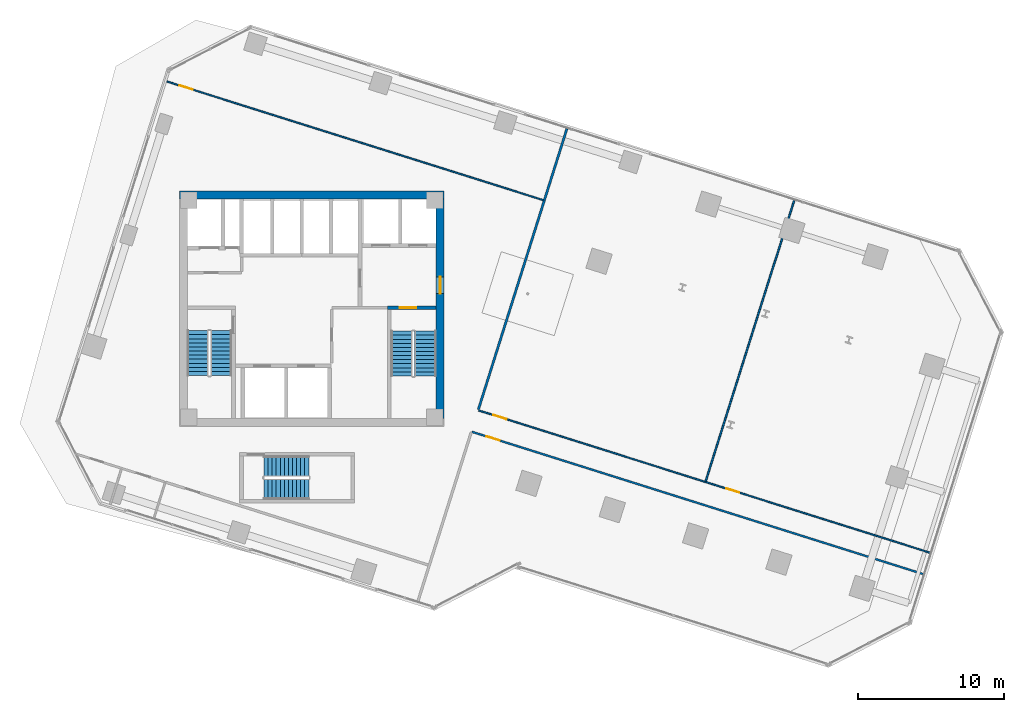
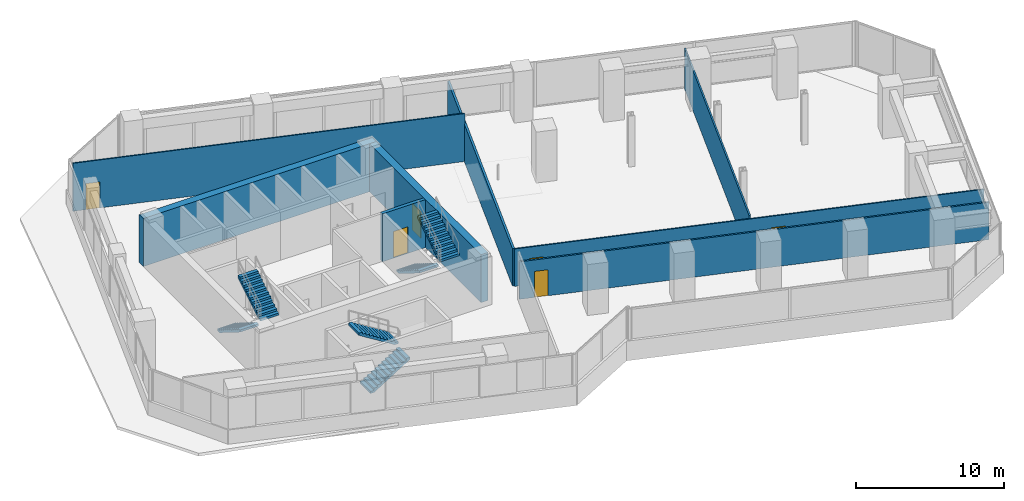
# One storey, part 22 of 28: 8 walls, 6 doors, 6 stair flights, 6 openings, 3 elements without a shape of their own.
"""IFC4 building model written with IfcOpenShell, lengths in metres."""

from ifc_helpers import new_model, si_unit, direction, frame, frame_2d, origin, place, context, subcontext, project, spatial, polyline, rectangle, outline, extrude, source, transform, mapped, material, layer, layer_set, type_object, element, fill, aggregate, save


model = new_model("IFC4")

# Units and contexts
model_context = context("Model", 3, precision=1e-05, world=origin(), true_north=direction((0.0, 1.0)))
body_context = subcontext(model_context, "Body", "Model", "MODEL_VIEW")
ifc_project = project(units=[si_unit("LENGTHUNIT", "METRE"), si_unit("AREAUNIT", "SQUARE_METRE"), si_unit("VOLUMEUNIT", "CUBIC_METRE"), si_unit("PLANEANGLEUNIT", "RADIAN"), si_unit("MASSUNIT", "GRAM", prefix="KILO")], contexts=[model_context])

# Site, building, storey
site_placement = place(None, origin())
site = spatial("IfcSite", under=ifc_project, at=site_placement, CompositionType="ELEMENT")
building_placement = place(site_placement, origin())
building = spatial("IfcBuilding", under=site, at=building_placement, Name="Torre Montelarca", CompositionType="ELEMENT")
storey_placement = place(building_placement, frame((0.0, 0.0, 112.60009765625)))
storey = spatial("IfcBuildingStorey", under=building, at=storey_placement, Name="L25", CompositionType="ELEMENT", Elevation=112.60009765625)

# Wall, opening, door
ifc_material_1 = material(Name="Concrete C40/50", Category="concrete")
ifc_layer_1 = layer(ifc_material_1, 0.25, Name="Concrete C40/50", Category="concrete")
ifc_layer_set_1 = layer_set([ifc_layer_1], Name="Concrete C40/50")
wall_type_1 = type_object("IfcWallType", Name="CW-SHAFT-250", PredefinedType="SHEAR", material=ifc_layer_set_1)
wall_1_placement = place(storey_placement, frame((23.18994140625, 32.074951171875, 0.0), z_axis=(0.0, 0.0, 1.0), x_axis=(1.0, 0.0, 0.0)))
wall_1 = element("IfcWall", 1, at=wall_1_placement, inside=storey, type_object=wall_type_1, Name="L25 Core Shear Wall SH-ST2-N", PredefinedType="SHEAR", context=body_context, shape_type="SweptSolid", body=[
    extrude(rectangle(XDim=3.35009765625, YDim=0.25, at=frame_2d((1.675048828125, 0.0))), origin(), (0.0, 0.0, 1.0), 3.9599609375),
])
opening_1_placement = place(wall_1_placement, frame((0.85009765625, 0.0, 0.0)))
opening_1 = element("IfcOpeningElement", 2, at=opening_1_placement, cuts=wall_1, Name="Opening FD-ST1", PredefinedType="OPENING", context=body_context, shape_type="SweptSolid", body=[
    extrude(rectangle(XDim=1.14990234375, YDim=2.199951171875, at=frame_2d((0.574951171875, 1.10009765625))), frame((0.0, 0.135009765625, 0.0), z_axis=(0.0, -1.0, 0.0), x_axis=(1.0, 0.0, 0.0)), (0.0, 0.0, 1.0), 0.27001953125),
])
ifc_material_2 = material(Name="Galvanized steel fire door", Category="steel")
door_type_1 = type_object("IfcDoorType", Name="DR-STAIR-115", OperationType="NOTDEFINED", PredefinedType="DOOR", material=ifc_material_2)
shared_shape_1 = source(origin(), body_context, "Body", "SweptSolid", [
    extrude(rectangle(XDim=1.14990234375, YDim=2.199951171875, at=frame_2d((0.574951171875, 1.10009765625))), frame((0.0, 0.02490234375, 0.0), z_axis=(0.0, -1.0, 0.0), x_axis=(1.0, 0.0, 0.0)), (0.0, 0.0, 1.0), 0.050048828125),
])
door_1_placement = place(opening_1_placement, origin())
door_1 = element("IfcDoor", 3, at=door_1_placement, inside=storey, type_object=door_type_1, Name="L25 Exit Stair ST2 Fire Door", OperationType="SINGLE_SWING_RIGHT", OverallHeight=2.199951171875, OverallWidth=1.14990234375, PredefinedType="DOOR", context=body_context, shape_type="MappedRepresentation", body=[
    mapped(shared_shape_1, transform((0.0, 0.0, 0.0), scale=1.0)),
])
fill(opening_1, door_1)

ifc_material_3 = material(Name="Concrete C70/85", Category="concrete")
ifc_layer_2 = layer(ifc_material_3, 0.550048828125, Name="Concrete C70/85", Category="concrete")
ifc_layer_set_2 = layer_set([ifc_layer_2], Name="Concrete C70/85")
wall_type_2 = type_object("IfcWallType", Name="CW-SHEAR-550", PredefinedType="SHEAR", material=ifc_layer_set_2)
wall_2_placement = place(storey_placement, frame((26.824951171875, 24.449951171875, 0.0), z_axis=(0.0, 0.0, 1.0), x_axis=(0.0, 1.0, 0.0)))
wall_2 = element("IfcWall", 4, at=wall_2_placement, inside=storey, type_object=wall_type_2, Name="L25 Core Shear Wall CW-E", PredefinedType="SHEAR", context=body_context, shape_type="SweptSolid", body=[
    extrude(rectangle(XDim=15.10009765625, YDim=0.550048828125, at=frame_2d((7.550048828125, 0.0))), origin(), (0.0, 0.0, 1.0), 3.9599609375),
])
opening_2_placement = place(wall_2_placement, frame((8.60009765625, 0.0, 0.0)))
opening_2 = element("IfcOpeningElement", 5, at=opening_2_placement, cuts=wall_2, Name="Opening FD-LB1", PredefinedType="OPENING", context=body_context, shape_type="SweptSolid", body=[
    extrude(rectangle(XDim=1.14990234375, YDim=2.199951171875, at=frame_2d((0.574951171875, 1.10009765625))), frame((0.0, 0.28515625, 0.0), z_axis=(0.0, -1.0, 0.0), x_axis=(1.0, 0.0, 0.0)), (0.0, 0.0, 1.0), 0.570068359375),
])
ifc_material_4 = material(Name="Acoustic timber-veneered fire door", Category="wood")
door_type_2 = type_object("IfcDoorType", Name="DR-LOBBY-115", OperationType="NOTDEFINED", PredefinedType="DOOR", material=ifc_material_4)
shared_shape_2 = source(origin(), body_context, "Body", "SweptSolid", [
    extrude(rectangle(XDim=1.14990234375, YDim=2.199951171875, at=frame_2d((0.574951171875, 1.10009765625))), frame((0.0, 0.02490234375, 0.0), z_axis=(0.0, -1.0, 0.0), x_axis=(1.0, 0.0, 0.0)), (0.0, 0.0, 1.0), 0.050048828125),
])
door_2_placement = place(opening_2_placement, origin())
door_2 = element("IfcDoor", 6, at=door_2_placement, inside=storey, type_object=door_type_2, Name="L25 Firefighting Lift Lobby Corridor Fire Door", OperationType="SINGLE_SWING_RIGHT", OverallHeight=2.199951171875, OverallWidth=1.14990234375, PredefinedType="DOOR", context=body_context, shape_type="MappedRepresentation", body=[
    mapped(shared_shape_2, transform((0.0, 0.0, 0.0), scale=1.0)),
])
fill(opening_2, door_2)

# Walls
wall_3_placement = place(storey_placement, frame((8.89990234375, 39.824951171875, 0.0), z_axis=(0.0, 0.0, 1.0), x_axis=(1.0, 0.0, 0.0)))
element("IfcWall", 7, at=wall_3_placement, inside=storey, type_object=wall_type_2, Name="L25 Core Shear Wall CW-N1", PredefinedType="SHEAR", context=body_context, shape_type="SweptSolid", body=[
    extrude(rectangle(XDim=18.2001953125, YDim=0.550048828125, at=frame_2d((9.10009765625, 0.0))), origin(), (0.0, 0.0, 1.0), 3.9599609375),
])
ifc_material_5 = material(Name="Gypsum plasterboard on steel stud", Category="steel")
ifc_layer_3 = layer(ifc_material_5, 0.159912109375, Name="Gypsum plasterboard on steel stud", Category="steel")
ifc_layer_set_3 = layer_set([ifc_layer_3], Name="Gypsum plasterboard on steel stud")
wall_type_3 = type_object("IfcWallType", Name="PW-FIRE-160", PredefinedType="PARTITIONING", material=ifc_layer_set_3)
wall_4_placement = place(storey_placement, frame((29.44384765625, 25.0703125, 0.0), z_axis=(0.0, 0.0, 1.0), x_axis=(0.300708769024, 0.953716014457, 0.0)))
element("IfcWall", 8, at=wall_4_placement, inside=storey, type_object=wall_type_3, Name="L25 Interior Partition W-L25-ECN", PredefinedType="PARTITIONING", context=body_context, shape_type="SweptSolid", body=[
    extrude(rectangle(XDim=20.240234375, YDim=0.159912109375, at=frame_2d((10.1201171875, 0.0))), origin(), (0.0, 0.0, 1.0), 3.094970703125),
])

# Wall, opening, door
ifc_material_6 = material(Name="Acoustic laminated glass partition", Category="glass")
ifc_layer_4 = layer(ifc_material_6, 0.10009765625, Name="Acoustic laminated glass partition", Category="glass")
ifc_layer_set_4 = layer_set([ifc_layer_4], Name="Acoustic laminated glass partition")
wall_type_4 = type_object("IfcWallType", Name="PW-GLAZ-100", PredefinedType="PARTITIONING", material=ifc_layer_set_4)
wall_5_placement = place(storey_placement, frame((8.053466796875, 47.6162109375, 0.0), z_axis=(0.0, 0.0, 1.0), x_axis=(0.953717706363, -0.300703402989, 0.0)))
wall_5 = element("IfcWall", 9, at=wall_5_placement, inside=storey, type_object=wall_type_4, Name="L25 Interior Partition W-L25-NBOT", PredefinedType="PARTITIONING", context=body_context, shape_type="SweptSolid", body=[
    extrude(rectangle(XDim=27.14013671875, YDim=0.10009765625, at=frame_2d((13.570068359375, 0.0))), origin(), (0.0, 0.0, 1.0), 3.9599609375),
])
opening_3_placement = place(wall_5_placement, frame((0.909912109375, 0.0, 0.0)))
opening_3 = element("IfcOpeningElement", 10, at=opening_3_placement, cuts=wall_5, Name="Opening ID-095", PredefinedType="OPENING", context=body_context, shape_type="SweptSolid", body=[
    extrude(rectangle(XDim=0.949951171875, YDim=2.14990234375, at=frame_2d((0.47509765625, 1.074951171875))), frame((0.0, 0.06005859375, 0.0), z_axis=(0.0, -1.0, 0.0), x_axis=(1.0, 0.0, 0.0)), (0.0, 0.0, 1.0), 0.1201171875),
])
ifc_material_7 = material(Name="Hardwood acoustic timber veneer", Category="wood")
door_type_3 = type_object("IfcDoorType", Name="DR-INT-095", OperationType="NOTDEFINED", PredefinedType="DOOR", material=ifc_material_7)
shared_shape_3 = source(origin(), body_context, "Body", "SweptSolid", [
    extrude(rectangle(XDim=0.949951171875, YDim=2.14990234375, at=frame_2d((0.47509765625, 1.074951171875))), frame((0.0, 0.02490234375, 0.0), z_axis=(0.0, -1.0, 0.0), x_axis=(1.0, 0.0, 0.0)), (0.0, 0.0, 1.0), 0.050048828125),
])
door_3_placement = place(opening_3_placement, origin())
door_3 = element("IfcDoor", 11, at=door_3_placement, inside=storey, type_object=door_type_3, Name="L25 Interior Door 06", OperationType="SINGLE_SWING_LEFT", OverallHeight=2.14990234375, OverallWidth=0.949951171875, PredefinedType="DOOR", context=body_context, shape_type="MappedRepresentation", body=[
    mapped(shared_shape_3, transform((0.0, 0.0, 0.0), scale=1.0)),
])
fill(opening_3, door_3)

# Wall, openings, doors
wall_6_placement = place(storey_placement, frame((29.469970703125, 25.020263671875, 0.0), z_axis=(0.0, 0.0, 1.0), x_axis=(0.953716794744, -0.300706294286, 0.0)))
wall_6 = element("IfcWall", 12, at=wall_6_placement, inside=storey, type_object=wall_type_4, Name="L25 Interior Partition W-L25-NE-S", PredefinedType="PARTITIONING", context=body_context, shape_type="SweptSolid", body=[
    extrude(rectangle(XDim=32.520263671875, YDim=0.10009765625, at=frame_2d((16.26025390625, 0.0))), origin(), (0.0, 0.0, 1.0), 3.094970703125),
])
opening_4_placement = place(wall_6_placement, frame((1.050048828125, 0.0, 0.0)))
opening_4 = element("IfcOpeningElement", 13, at=opening_4_placement, cuts=wall_6, Name="Opening ID-095", PredefinedType="OPENING", context=body_context, shape_type="SweptSolid", body=[
    extrude(rectangle(XDim=0.949951171875, YDim=2.14990234375, at=frame_2d((0.47509765625, 1.074951171875))), frame((0.0, 0.06005859375, 0.0), z_axis=(0.0, -1.0, 0.0), x_axis=(1.0, 0.0, 0.0)), (0.0, 0.0, 1.0), 0.1201171875),
])
opening_5_placement = place(wall_6_placement, frame((17.820068359375, 0.0, 0.0)))
opening_5 = element("IfcOpeningElement", 14, at=opening_5_placement, cuts=wall_6, Name="Opening ID-095", PredefinedType="OPENING", context=body_context, shape_type="SweptSolid", body=[
    extrude(rectangle(XDim=0.949951171875, YDim=2.14990234375, at=frame_2d((0.47509765625, 1.074951171875))), frame((0.0, 0.06005859375, 0.0), z_axis=(0.0, -1.0, 0.0), x_axis=(1.0, 0.0, 0.0)), (0.0, 0.0, 1.0), 0.1201171875),
])
door_4_placement = place(opening_4_placement, origin())
door_4 = element("IfcDoor", 15, at=door_4_placement, inside=storey, type_object=door_type_3, Name="L25 Interior Door 07", OperationType="SINGLE_SWING_LEFT", OverallHeight=2.14990234375, OverallWidth=0.949951171875, PredefinedType="DOOR", context=body_context, shape_type="MappedRepresentation", body=[
    mapped(shared_shape_3, transform((0.0, 0.0, 0.0), scale=1.0)),
])
fill(opening_4, door_4)
door_5_placement = place(opening_5_placement, origin())
door_5 = element("IfcDoor", 16, at=door_5_placement, inside=storey, type_object=door_type_3, Name="L25 Interior Door 08", OperationType="SINGLE_SWING_RIGHT", OverallHeight=2.14990234375, OverallWidth=0.949951171875, PredefinedType="DOOR", context=body_context, shape_type="MappedRepresentation", body=[
    mapped(shared_shape_3, transform((0.0, 0.0, 0.0), scale=1.0)),
])
fill(opening_5, door_5)

# Wall
ifc_layer_5 = layer(ifc_material_5, 0.114990234375, Name="Gypsum plasterboard on steel stud", Category="steel")
ifc_layer_set_5 = layer_set([ifc_layer_5], Name="Gypsum plasterboard on steel stud")
wall_type_5 = type_object("IfcWallType", Name="PW-PART-115", PredefinedType="PARTITIONING", material=ifc_layer_set_5)
wall_7_placement = place(storey_placement, frame((45.05615234375, 20.14794921875, 0.0), z_axis=(0.0, 0.0, 1.0), x_axis=(0.300712228368, 0.953714923712, 0.0)))
element("IfcWall", 17, at=wall_7_placement, inside=storey, type_object=wall_type_5, Name="L25 Interior Partition W-L25-NEDIV-1", PredefinedType="PARTITIONING", context=body_context, shape_type="SweptSolid", body=[
    extrude(rectangle(XDim=20.239990234375, YDim=0.114990234375, at=frame_2d((10.1201171875, 0.0))), origin(), (0.0, 0.0, 1.0), 3.322998046875),
])

# Wall, opening, door
ifc_layer_6 = layer(ifc_material_5, 0.135009765625, Name="Gypsum plasterboard on steel stud", Category="steel")
ifc_layer_set_6 = layer_set([ifc_layer_6], Name="Gypsum plasterboard on steel stud")
wall_type_6 = type_object("IfcWallType", Name="PW-PART-135", PredefinedType="PARTITIONING", material=ifc_layer_set_6)
wall_8_placement = place(storey_placement, frame((29.0068359375, 23.551513671875, 0.0), z_axis=(0.0, 0.0, 1.0), x_axis=(0.953718947743, -0.300699465773, 0.0)))
wall_8 = element("IfcWall", 18, at=wall_8_placement, inside=storey, type_object=wall_type_6, Name="L25 Interior Partition W-L25-SE-N", PredefinedType="PARTITIONING", context=body_context, shape_type="SweptSolid", body=[
    extrude(rectangle(XDim=32.520263671875, YDim=0.135009765625, at=frame_2d((16.26025390625, 0.0))), origin(), (0.0, 0.0, 1.0), 3.094970703125),
])
opening_6_placement = place(wall_8_placement, frame((1.050048828125, 0.0, 0.0)))
opening_6 = element("IfcOpeningElement", 19, at=opening_6_placement, cuts=wall_8, Name="Opening ID-095", PredefinedType="OPENING", context=body_context, shape_type="SweptSolid", body=[
    extrude(rectangle(XDim=0.949951171875, YDim=2.14990234375, at=frame_2d((0.47509765625, 1.074951171875))), frame((0.0, 0.07763671875, 0.0), z_axis=(0.0, -1.0, 0.0), x_axis=(1.0, 0.0, 0.0)), (0.0, 0.0, 1.0), 0.155029296875),
])
door_6_placement = place(opening_6_placement, origin())
door_6 = element("IfcDoor", 20, at=door_6_placement, inside=storey, type_object=door_type_3, Name="L25 Interior Door 09", OperationType="SINGLE_SWING_LEFT", OverallHeight=2.14990234375, OverallWidth=0.949951171875, PredefinedType="DOOR", context=body_context, shape_type="MappedRepresentation", body=[
    mapped(shared_shape_3, transform((0.0, 0.0, 0.0), scale=1.0)),
])
fill(opening_6, door_6)

# Stair, stair flights
stair_type_1 = type_object("IfcStairType", Name="ST-CORE-ST1", PredefinedType="HALF_TURN_STAIR", material=ifc_material_1)
stair_1_placement = place(storey_placement, origin())
stair_1 = element("IfcStair", 21, at=stair_1_placement, inside=storey, type_object=stair_type_1, Name="L25 Protected Exit Stair ST1", PredefinedType="HALF_TURN_STAIR")
stair_flight_type_1 = type_object("IfcStairFlightType", Name="SFL-CORE-ST1", PredefinedType="STRAIGHT", material=ifc_material_1)
stair_flight_1_placement = place(storey_placement, frame((10.175048828125, 30.5, 0.0), z_axis=(0.0, 0.0, 1.0), x_axis=(0.0, -1.0, 0.0)))
stair_flight_1 = element("IfcStairFlight", 22, at=stair_flight_1_placement, type_object=stair_flight_type_1, Name="ST1 flight 1", NumberOfRisers=12, NumberOfTreads=11, PredefinedType="STRAIGHT", RiserHeight=0.175, TreadLength=0.28, context=body_context, shape_type="SweptSolid", body=[
    extrude(outline(polyline([(0.0, 0.0), (0.0, 0.175048828125), (0.280029296875, 0.175048828125), (0.280029296875, 0.35009765625), (0.56005859375, 0.35009765625), (0.56005859375, 0.52490234375), (0.840087890625, 0.52490234375), (0.840087890625, 0.699951171875), (1.1201171875, 0.699951171875), (1.1201171875, 0.875), (1.39990234375, 0.875), (1.39990234375, 1.050048828125), (1.679931640625, 1.050048828125), (1.679931640625, 1.22509765625), (1.9599609375, 1.22509765625), (1.9599609375, 1.39990234375), (2.239990234375, 1.39990234375), (2.239990234375, 1.574951171875), (2.52001953125, 1.574951171875), (2.52001953125, 1.75), (2.800048828125, 1.75), (2.800048828125, 1.925048828125), (3.080078125, 1.925048828125), (3.080078125, 2.10009765625), (3.080078125, 1.748291015625), (0.28271484375, 0.0), (0.0, 0.0)])), frame((0.0, 0.72509765625, 0.0), z_axis=(0.0, -1.0, 0.0), x_axis=(1.0, 0.0, 0.0)), (0.0, 0.0, 1.0), 1.449951171875),
])
stair_flight_2_placement = place(storey_placement, frame((11.77490234375, 27.419921875, 2.099853515625), z_axis=(0.0, 0.0, 1.0), x_axis=(0.0, 1.0, 0.0)))
stair_flight_2 = element("IfcStairFlight", 23, at=stair_flight_2_placement, type_object=stair_flight_type_1, Name="ST1 flight 2", NumberOfRisers=12, NumberOfTreads=11, PredefinedType="STRAIGHT", RiserHeight=0.175, TreadLength=0.28, context=body_context, shape_type="SweptSolid", body=[
    extrude(outline(polyline([(0.0, 0.0), (0.0, 0.175048828125), (0.280029296875, 0.175048828125), (0.280029296875, 0.35009765625), (0.56005859375, 0.35009765625), (0.56005859375, 0.52490234375), (0.840087890625, 0.52490234375), (0.840087890625, 0.699951171875), (1.1201171875, 0.699951171875), (1.1201171875, 0.875), (1.39990234375, 0.875), (1.39990234375, 1.050048828125), (1.679931640625, 1.050048828125), (1.679931640625, 1.22509765625), (1.9599609375, 1.22509765625), (1.9599609375, 1.39990234375), (2.239990234375, 1.39990234375), (2.239990234375, 1.574951171875), (2.52001953125, 1.574951171875), (2.52001953125, 1.75), (2.800048828125, 1.75), (2.800048828125, 1.925048828125), (3.080078125, 1.925048828125), (3.080078125, 2.10009765625), (3.080078125, 1.748291015625), (0.28271484375, 0.0), (0.0, 0.0)])), frame((0.0, 0.72509765625, 0.0), z_axis=(0.0, -1.0, 0.0), x_axis=(1.0, 0.0, 0.0)), (0.0, 0.0, 1.0), 1.449951171875),
])
aggregate(stair_1, [stair_flight_1, stair_flight_2])

stair_type_2 = type_object("IfcStairType", Name="ST-CORE-ST2", PredefinedType="HALF_TURN_STAIR", material=ifc_material_1)
stair_2_placement = place(storey_placement, origin())
stair_2 = element("IfcStair", 24, at=stair_2_placement, inside=storey, type_object=stair_type_2, Name="L25 Protected Exit Stair ST2", PredefinedType="HALF_TURN_STAIR")
stair_flight_type_2 = type_object("IfcStairFlightType", Name="SFL-CORE-ST2", PredefinedType="STRAIGHT", material=ifc_material_1)
stair_flight_3_placement = place(storey_placement, frame((24.179931640625, 30.469970703125, 0.0), z_axis=(0.0, 0.0, 1.0), x_axis=(0.0, -1.0, 0.0)))
stair_flight_3 = element("IfcStairFlight", 25, at=stair_flight_3_placement, type_object=stair_flight_type_2, Name="ST2 flight 1", NumberOfRisers=12, NumberOfTreads=11, PredefinedType="STRAIGHT", RiserHeight=0.175, TreadLength=0.28, context=body_context, shape_type="SweptSolid", body=[
    extrude(outline(polyline([(0.0, 0.0), (0.0, 0.175048828125), (0.280029296875, 0.175048828125), (0.280029296875, 0.35009765625), (0.56005859375, 0.35009765625), (0.56005859375, 0.52490234375), (0.840087890625, 0.52490234375), (0.840087890625, 0.699951171875), (1.1201171875, 0.699951171875), (1.1201171875, 0.875), (1.39990234375, 0.875), (1.39990234375, 1.050048828125), (1.679931640625, 1.050048828125), (1.679931640625, 1.22509765625), (1.9599609375, 1.22509765625), (1.9599609375, 1.39990234375), (2.239990234375, 1.39990234375), (2.239990234375, 1.574951171875), (2.52001953125, 1.574951171875), (2.52001953125, 1.75), (2.800048828125, 1.75), (2.800048828125, 1.925048828125), (3.080078125, 1.925048828125), (3.080078125, 2.10009765625), (3.080078125, 1.748291015625), (0.28271484375, 0.0), (0.0, 0.0)])), frame((0.0, 0.739990234375, 0.0), z_axis=(0.0, -1.0, 0.0), x_axis=(1.0, 0.0, 0.0)), (0.0, 0.0, 1.0), 1.47998046875),
])
stair_flight_4_placement = place(storey_placement, frame((25.81005859375, 27.389892578125, 2.099853515625), z_axis=(0.0, 0.0, 1.0), x_axis=(0.0, 1.0, 0.0)))
stair_flight_4 = element("IfcStairFlight", 26, at=stair_flight_4_placement, type_object=stair_flight_type_2, Name="ST2 flight 2", NumberOfRisers=12, NumberOfTreads=11, PredefinedType="STRAIGHT", RiserHeight=0.175, TreadLength=0.28, context=body_context, shape_type="SweptSolid", body=[
    extrude(outline(polyline([(0.0, 0.0), (0.0, 0.175048828125), (0.280029296875, 0.175048828125), (0.280029296875, 0.35009765625), (0.56005859375, 0.35009765625), (0.56005859375, 0.52490234375), (0.840087890625, 0.52490234375), (0.840087890625, 0.699951171875), (1.1201171875, 0.699951171875), (1.1201171875, 0.875), (1.39990234375, 0.875), (1.39990234375, 1.050048828125), (1.679931640625, 1.050048828125), (1.679931640625, 1.22509765625), (1.9599609375, 1.22509765625), (1.9599609375, 1.39990234375), (2.239990234375, 1.39990234375), (2.239990234375, 1.574951171875), (2.52001953125, 1.574951171875), (2.52001953125, 1.75), (2.800048828125, 1.75), (2.800048828125, 1.925048828125), (3.080078125, 1.925048828125), (3.080078125, 2.10009765625), (3.080078125, 1.748291015625), (0.28271484375, 0.0), (0.0, 0.0)])), frame((0.0, 0.739990234375, 0.0), z_axis=(0.0, -1.0, 0.0), x_axis=(1.0, 0.0, 0.0)), (0.0, 0.0, 1.0), 1.47998046875),
])
aggregate(stair_2, [stair_flight_3, stair_flight_4])

stair_type_3 = type_object("IfcStairType", Name="ST-CORE-ST3", PredefinedType="HALF_TURN_STAIR", material=ifc_material_1)
stair_3_placement = place(storey_placement, origin())
stair_3 = element("IfcStair", 27, at=stair_3_placement, inside=storey, type_object=stair_type_3, Name="L25 Low-Rise Exit Stair ST3", PredefinedType="HALF_TURN_STAIR")
stair_flight_type_3 = type_object("IfcStairFlightType", Name="SFL-CORE-ST3", PredefinedType="STRAIGHT", material=ifc_material_1)
stair_flight_5_placement = place(storey_placement, frame((14.719970703125, 19.610107421875, 0.0), z_axis=(0.0, 0.0, 1.0), x_axis=(1.0, 0.0, 0.0)))
stair_flight_5 = element("IfcStairFlight", 28, at=stair_flight_5_placement, type_object=stair_flight_type_3, Name="ST3 flight 1", NumberOfRisers=12, NumberOfTreads=11, PredefinedType="STRAIGHT", RiserHeight=0.175, TreadLength=0.28, context=body_context, shape_type="SweptSolid", body=[
    extrude(outline(polyline([(0.0, 0.0), (0.0, 0.175048828125), (0.280029296875, 0.175048828125), (0.280029296875, 0.35009765625), (0.56005859375, 0.35009765625), (0.56005859375, 0.52490234375), (0.840087890625, 0.52490234375), (0.840087890625, 0.699951171875), (1.1201171875, 0.699951171875), (1.1201171875, 0.875), (1.39990234375, 0.875), (1.39990234375, 1.050048828125), (1.679931640625, 1.050048828125), (1.679931640625, 1.22509765625), (1.9599609375, 1.22509765625), (1.9599609375, 1.39990234375), (2.239990234375, 1.39990234375), (2.239990234375, 1.574951171875), (2.52001953125, 1.574951171875), (2.52001953125, 1.75), (2.800048828125, 1.75), (2.800048828125, 1.925048828125), (3.080078125, 1.925048828125), (3.080078125, 2.10009765625), (3.080078125, 1.748291015625), (0.28271484375, 0.0), (0.0, 0.0)])), frame((0.0, 0.7099609375, 0.0), z_axis=(0.0, -1.0, 0.0), x_axis=(1.0, 0.0, 0.0)), (0.0, 0.0, 1.0), 1.419921875),
])
stair_flight_6_placement = place(storey_placement, frame((17.800048828125, 21.179931640625, 2.099853515625), z_axis=(0.0, 0.0, 1.0), x_axis=(-1.0, 0.0, 0.0)))
stair_flight_6 = element("IfcStairFlight", 29, at=stair_flight_6_placement, type_object=stair_flight_type_3, Name="ST3 flight 2", NumberOfRisers=12, NumberOfTreads=11, PredefinedType="STRAIGHT", RiserHeight=0.175, TreadLength=0.28, context=body_context, shape_type="SweptSolid", body=[
    extrude(outline(polyline([(0.0, 0.0), (0.0, 0.175048828125), (0.280029296875, 0.175048828125), (0.280029296875, 0.35009765625), (0.56005859375, 0.35009765625), (0.56005859375, 0.52490234375), (0.840087890625, 0.52490234375), (0.840087890625, 0.699951171875), (1.1201171875, 0.699951171875), (1.1201171875, 0.875), (1.39990234375, 0.875), (1.39990234375, 1.050048828125), (1.679931640625, 1.050048828125), (1.679931640625, 1.22509765625), (1.9599609375, 1.22509765625), (1.9599609375, 1.39990234375), (2.239990234375, 1.39990234375), (2.239990234375, 1.574951171875), (2.52001953125, 1.574951171875), (2.52001953125, 1.75), (2.800048828125, 1.75), (2.800048828125, 1.925048828125), (3.080078125, 1.925048828125), (3.080078125, 2.10009765625), (3.080078125, 1.748291015625), (0.28271484375, 0.0), (0.0, 0.0)])), frame((0.0, 0.7099609375, 0.0), z_axis=(0.0, -1.0, 0.0), x_axis=(1.0, 0.0, 0.0)), (0.0, 0.0, 1.0), 1.419921875),
])
aggregate(stair_3, [stair_flight_5, stair_flight_6])

save(model, "model.ifc")
